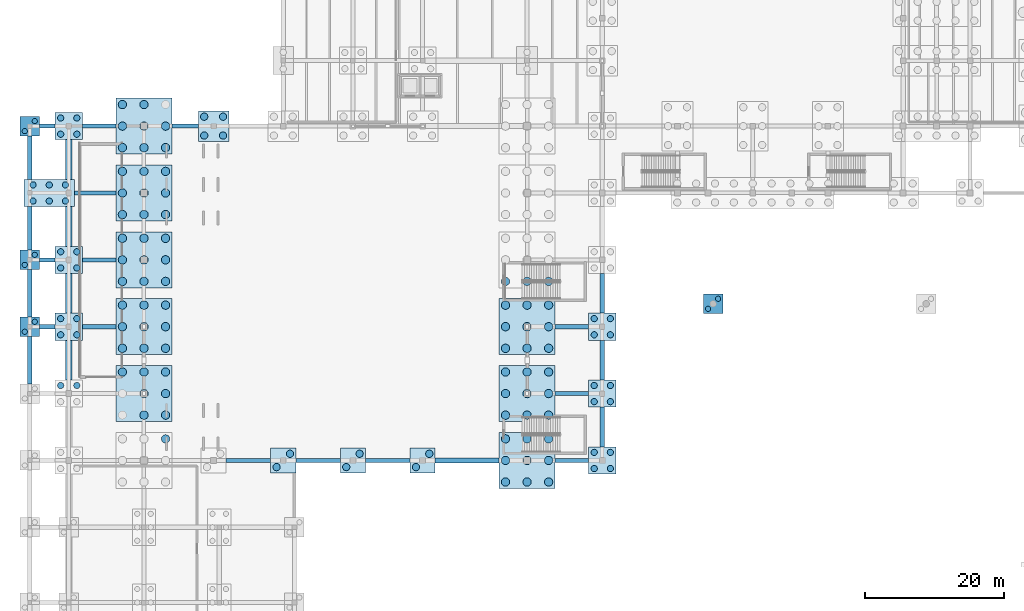
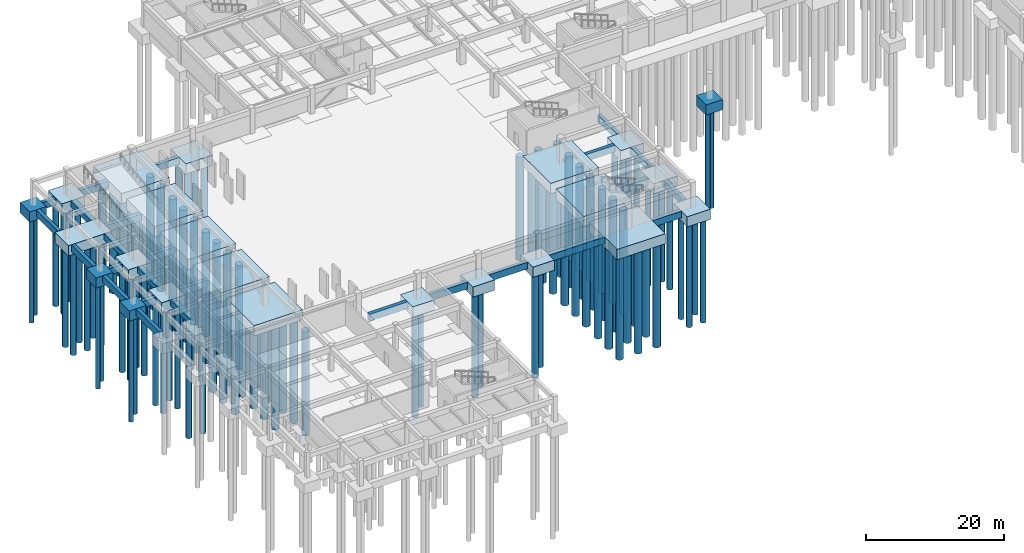
# One storey, part 2 of 33: 123 piles, 49 footings.
"""IFC4 building model written with IfcOpenShell, lengths in metres."""

from ifc_helpers import new_model, si_unit, direction, frame, origin, origin_2d, place, context, subcontext, project, spatial, rectangle, circle, extrude, material, material_profile, profile_set, type_object, element, save


model = new_model("IFC4")

# Units and contexts
model_context = context("Model", 3, precision=1e-05, world=origin(), true_north=direction((0.0, 1.0)))
body_context = subcontext(model_context, "Body", "Model", "MODEL_VIEW")
ifc_project = project(units=[si_unit("LENGTHUNIT", "METRE"), si_unit("AREAUNIT", "SQUARE_METRE"), si_unit("VOLUMEUNIT", "CUBIC_METRE"), si_unit("PLANEANGLEUNIT", "RADIAN"), si_unit("MASSUNIT", "GRAM", prefix="KILO")], contexts=[model_context])

# Site, building, storey
site_placement = place(None, origin())
site = spatial("IfcSite", under=ifc_project, at=site_placement, CompositionType="ELEMENT")
building_placement = place(site_placement, origin())
building = spatial("IfcBuilding", under=site, at=building_placement, Name="Veldera Park Congress Hotel", CompositionType="ELEMENT")
storey_placement = place(building_placement, frame((0.0, 0.0, -4.5)))
storey = spatial("IfcBuildingStorey", under=building, at=storey_placement, Name="B1", CompositionType="ELEMENT", Elevation=-4.5)

# Footings
ifc_material = material(Name="Concrete f'c 40 MPa (5,800 psi)", Category="concrete")
footing_type_1 = type_object("IfcFootingType", Name="FB-600X1200", PredefinedType="FOOTING_BEAM", material=ifc_material)
for number, where, z_axis, x_axis, name in (
    (1, (-52.39990234375, -21.0, -1.2001953125), (0.0, 0.0, 1.0), (1.0, 0.0, 0.0), "Foundation Tie Beam FB-600X1200 25"),
    (2, (-42.39990234375, -21.0, -1.2001953125), (0.0, 0.0, 1.0), (1.0, 0.0, 0.0), "Foundation Tie Beam FB-600X1200 26"),
    (3, (-32.39990234375, -21.0, -1.2001953125), (0.0, 0.0, 1.0), (1.0, 0.0, 0.0), "Foundation Tie Beam FB-600X1200 27"),
):
    element("IfcFooting", number, at=place(storey_placement, frame(where, z_axis=z_axis, x_axis=x_axis)), inside=storey, type_object=footing_type_1, Name=name, PredefinedType="FOOTING_BEAM", context=body_context, shape_type="SweptSolid", body=[
        extrude(rectangle(XDim=6.39990234375, YDim=0.60009765625, at=origin_2d()), origin(), (0.0, 0.0, 1.0), 1.199951171875),
    ])
for number, where, z_axis, x_axis, name in (
    (4, (-5.96240234375, -21.0, -1.2001953125), (0.0, 0.0, 1.0), (1.0, 0.0, 0.0), "Foundation Tie Beam FB-600X1200 29"),
    (5, (-5.96240234375, -11.39990234375, -1.2001953125), (0.0, 0.0, 1.0), (1.0, 0.0, 0.0), "Foundation Tie Beam FB-600X1200 32"),
):
    element("IfcFooting", number, at=place(storey_placement, frame(where, z_axis=z_axis, x_axis=x_axis)), inside=storey, type_object=footing_type_1, Name=name, PredefinedType="FOOTING_BEAM", context=body_context, shape_type="SweptSolid", body=[
        extrude(rectangle(XDim=4.824951171875, YDim=0.60009765625, at=origin_2d()), origin(), (0.0, 0.0, 1.0), 1.199951171875),
    ])
footing_1_placement = place(storey_placement, frame((-81.27490234375, -1.800048828125, -1.2001953125), z_axis=(0.0, 0.0, 1.0), x_axis=(1.0, 0.0, 0.0)))
element("IfcFooting", 6, at=footing_1_placement, inside=storey, type_object=footing_type_1, Name="Foundation Tie Beam FB-600X1200 33", PredefinedType="FOOTING_BEAM", context=body_context, shape_type="SweptSolid", body=[
    extrude(rectangle(XDim=2.25, YDim=0.60009765625, at=origin_2d()), origin(), (0.0, 0.0, 1.0), 1.199951171875),
])
for number, where, z_axis, x_axis, name in (
    (7, (-73.83740234375, -1.800048828125, -1.2001953125), (0.0, 0.0, 1.0), (1.0, 0.0, 0.0), "Foundation Tie Beam FB-600X1200 34"),
    (8, (-5.96240234375, -1.800048828125, -1.2001953125), (0.0, 0.0, 1.0), (1.0, 0.0, 0.0), "Foundation Tie Beam FB-600X1200 35"),
):
    element("IfcFooting", number, at=place(storey_placement, frame(where, z_axis=z_axis, x_axis=x_axis)), inside=storey, type_object=footing_type_1, Name=name, PredefinedType="FOOTING_BEAM", context=body_context, shape_type="SweptSolid", body=[
        extrude(rectangle(XDim=4.824951171875, YDim=0.60009765625, at=origin_2d()), origin(), (0.0, 0.0, 1.0), 1.199951171875),
    ])
footing_2_placement = place(storey_placement, frame((-81.27490234375, 7.800048828125, -1.2001953125), z_axis=(0.0, 0.0, 1.0), x_axis=(1.0, 0.0, 0.0)))
element("IfcFooting", 9, at=footing_2_placement, inside=storey, type_object=footing_type_1, Name="Foundation Tie Beam FB-600X1200 38", PredefinedType="FOOTING_BEAM", context=body_context, shape_type="SweptSolid", body=[
    extrude(rectangle(XDim=2.25, YDim=0.60009765625, at=origin_2d()), origin(), (0.0, 0.0, 1.0), 1.199951171875),
])
footing_3_placement = place(storey_placement, frame((-73.83740234375, 7.800048828125, -1.2001953125), z_axis=(0.0, 0.0, 1.0), x_axis=(1.0, 0.0, 0.0)))
element("IfcFooting", 10, at=footing_3_placement, inside=storey, type_object=footing_type_1, Name="Foundation Tie Beam FB-600X1200 39", PredefinedType="FOOTING_BEAM", context=body_context, shape_type="SweptSolid", body=[
    extrude(rectangle(XDim=4.824951171875, YDim=0.60009765625, at=origin_2d()), origin(), (0.0, 0.0, 1.0), 1.199951171875),
])
footing_4_placement = place(storey_placement, frame((-74.41259765625, 17.39990234375, -1.2001953125), z_axis=(0.0, 0.0, 1.0), x_axis=(1.0, 0.0, 0.0)))
element("IfcFooting", 11, at=footing_4_placement, inside=storey, type_object=footing_type_1, Name="Foundation Tie Beam FB-600X1200 43", PredefinedType="FOOTING_BEAM", context=body_context, shape_type="SweptSolid", body=[
    extrude(rectangle(XDim=5.97509765625, YDim=0.60009765625, at=origin_2d()), origin(), (0.0, 0.0, 1.0), 1.199951171875),
])
footing_5_placement = place(storey_placement, frame((-81.27490234375, 27.0, -1.2001953125), z_axis=(0.0, 0.0, 1.0), x_axis=(1.0, 0.0, 0.0)))
element("IfcFooting", 12, at=footing_5_placement, inside=storey, type_object=footing_type_1, Name="Foundation Tie Beam FB-600X1200 50", PredefinedType="FOOTING_BEAM", context=body_context, shape_type="SweptSolid", body=[
    extrude(rectangle(XDim=2.25, YDim=0.60009765625, at=origin_2d()), origin(), (0.0, 0.0, 1.0), 1.199951171875),
])
footing_6_placement = place(storey_placement, frame((-73.83740234375, 27.0, -1.2001953125), z_axis=(0.0, 0.0, 1.0), x_axis=(1.0, 0.0, 0.0)))
element("IfcFooting", 13, at=footing_6_placement, inside=storey, type_object=footing_type_1, Name="Foundation Tie Beam FB-600X1200 51", PredefinedType="FOOTING_BEAM", context=body_context, shape_type="SweptSolid", body=[
    extrude(rectangle(XDim=4.824951171875, YDim=0.60009765625, at=origin_2d()), origin(), (0.0, 0.0, 1.0), 1.199951171875),
])
footing_7_placement = place(storey_placement, frame((-61.487548828125, 27.0, -1.2001953125), z_axis=(0.0, 0.0, 1.0), x_axis=(1.0, 0.0, 0.0)))
element("IfcFooting", 14, at=footing_7_placement, inside=storey, type_object=footing_type_1, Name="Foundation Tie Beam FB-600X1200 52", PredefinedType="FOOTING_BEAM", context=body_context, shape_type="SweptSolid", body=[
    extrude(rectangle(XDim=3.77490234375, YDim=0.60009765625, at=origin_2d()), origin(), (0.0, 0.0, 1.0), 1.199951171875),
])
for number, where, z_axis, x_axis, name in (
    (15, (-83.800048828125, -6.60009765625, -1.2001953125), (0.0, 0.0, 1.0), (0.0, 1.0, 0.0), "Foundation Tie Beam FB-600X1200 94"),
    (16, (-83.800048828125, 3.0, -1.2001953125), (0.0, 0.0, 1.0), (0.0, 1.0, 0.0), "Foundation Tie Beam FB-600X1200 95"),
):
    element("IfcFooting", number, at=place(storey_placement, frame(where, z_axis=z_axis, x_axis=x_axis)), inside=storey, type_object=footing_type_1, Name=name, PredefinedType="FOOTING_BEAM", context=body_context, shape_type="SweptSolid", body=[
        extrude(rectangle(XDim=6.800048828125, YDim=0.60009765625, at=origin_2d()), origin(), (0.0, 0.0, 1.0), 1.199951171875),
    ])
for number, where, z_axis, x_axis, name in (
    (17, (-83.800048828125, 12.324951171875, -1.2001953125), (0.0, 0.0, 1.0), (0.0, 1.0, 0.0), "Foundation Tie Beam FB-600X1200 96"),
    (18, (-83.800048828125, 22.47509765625, -1.2001953125), (0.0, 0.0, 1.0), (0.0, 1.0, 0.0), "Foundation Tie Beam FB-600X1200 97"),
):
    element("IfcFooting", number, at=place(storey_placement, frame(where, z_axis=z_axis, x_axis=x_axis)), inside=storey, type_object=footing_type_1, Name=name, PredefinedType="FOOTING_BEAM", context=body_context, shape_type="SweptSolid", body=[
        extrude(rectangle(XDim=6.25, YDim=0.60009765625, at=origin_2d()), origin(), (0.0, 0.0, 1.0), 1.199951171875),
    ])
for number, where, z_axis, x_axis, name in (
    (19, (-1.60009765625, -16.199951171875, -1.2001953125), (0.0, 0.0, 1.0), (0.0, 1.0, 0.0), "Foundation Tie Beam FB-600X1200 120"),
    (20, (-1.60009765625, -6.60009765625, -1.2001953125), (0.0, 0.0, 1.0), (0.0, 1.0, 0.0), "Foundation Tie Beam FB-600X1200 121"),
    (21, (-1.60009765625, 3.0, -1.2001953125), (0.0, 0.0, 1.0), (0.0, 1.0, 0.0), "Foundation Tie Beam FB-600X1200 122"),
):
    element("IfcFooting", number, at=place(storey_placement, frame(where, z_axis=z_axis, x_axis=x_axis)), inside=storey, type_object=footing_type_1, Name=name, PredefinedType="FOOTING_BEAM", context=body_context, shape_type="SweptSolid", body=[
        extrude(rectangle(XDim=5.699951171875, YDim=0.60009765625, at=origin_2d()), origin(), (0.0, 0.0, 1.0), 1.199951171875),
    ])
footing_type_2 = type_object("IfcFootingType", Name="FB-750X1200", PredefinedType="FOOTING_BEAM", material=ifc_material)
footing_8_placement = place(storey_placement, frame((-21.012451171875, -21.0, -1.2001953125), z_axis=(0.0, 0.0, 1.0), x_axis=(1.0, 0.0, 0.0)))
element("IfcFooting", 22, at=footing_8_placement, inside=storey, type_object=footing_type_2, Name="Foundation Tie Beam FB-750X1200 28", PredefinedType="FOOTING_BEAM", context=body_context, shape_type="SweptSolid", body=[
    extrude(rectangle(XDim=9.175048828125, YDim=0.75, at=origin_2d()), origin(), (0.0, 0.0, 1.0), 1.199951171875),
])
footing_type_3 = type_object("IfcFootingType", Name="PC-280", PredefinedType="PILE_CAP", material=ifc_material)
for number, where, z_axis, x_axis, name in (
    (23, (-83.800048828125, -1.800048828125, -1.7998046875), (0.0, 0.0, 1.0), (1.0, 0.0, 0.0), "Pile Cap PC-280 at (-83.8, -1.8)"),
    (24, (-83.800048828125, 7.800048828125, -1.7998046875), (0.0, 0.0, 1.0), (1.0, 0.0, 0.0), "Pile Cap PC-280 at (-83.8, 7.8)"),
    (25, (-83.800048828125, 27.0, -1.7998046875), (0.0, 0.0, 1.0), (1.0, 0.0, 0.0), "Pile Cap PC-280 at (-83.8, 27.0)"),
    (26, (14.309814453125, 1.489990234375, -1.7998046875), (0.0, 0.0, 1.0), (1.0, 0.0, 0.0), "Bridge Pier Pile Cap 1"),
):
    element("IfcFooting", number, at=place(storey_placement, frame(where, z_axis=z_axis, x_axis=x_axis)), inside=storey, type_object=footing_type_3, Name=name, PredefinedType="PILE_CAP", context=body_context, shape_type="SweptSolid", body=[
        extrude(rectangle(XDim=2.800048828125, YDim=2.800048828125, at=origin_2d()), origin(), (0.0, 0.0, 1.0), 1.800048828125),
    ])
footing_type_4 = type_object("IfcFootingType", Name="PC-360", PredefinedType="PILE_CAP", material=ifc_material)
for number, where, z_axis, x_axis, name in (
    (27, (-47.39990234375, -21.0, -1.7998046875), (0.0, 0.0, 1.0), (1.0, 0.0, 0.0), "Pile Cap PC-360 at (-47.4, -21.0)"),
    (28, (-37.39990234375, -21.0, -1.7998046875), (0.0, 0.0, 1.0), (1.0, 0.0, 0.0), "Pile Cap PC-360 at (-37.4, -21.0)"),
    (29, (-27.39990234375, -21.0, -1.7998046875), (0.0, 0.0, 1.0), (1.0, 0.0, 0.0), "Pile Cap PC-360 at (-27.4, -21.0)"),
):
    element("IfcFooting", number, at=place(storey_placement, frame(where, z_axis=z_axis, x_axis=x_axis)), inside=storey, type_object=footing_type_4, Name=name, PredefinedType="PILE_CAP", context=body_context, shape_type="SweptSolid", body=[
        extrude(rectangle(XDim=3.60009765625, YDim=3.60009765625, at=origin_2d()), origin(), (0.0, 0.0, 1.0), 1.800048828125),
    ])
footing_type_5 = type_object("IfcFootingType", Name="PC-390", PredefinedType="PILE_CAP", material=ifc_material)
for number, where, z_axis, x_axis, name in (
    (30, (-78.199951171875, -1.800048828125, -1.7998046875), (0.0, 0.0, 1.0), (1.0, 0.0, 0.0), "Pile Cap PC-390 at (-78.2, -1.8)"),
    (31, (-78.199951171875, 7.800048828125, -1.7998046875), (0.0, 0.0, 1.0), (1.0, 0.0, 0.0), "Pile Cap PC-390 at (-78.2, 7.8)"),
    (32, (-78.199951171875, 27.0, -1.7998046875), (0.0, 0.0, 1.0), (1.0, 0.0, 0.0), "Pile Cap PC-390 at (-78.2, 27.0)"),
    (33, (-1.60009765625, -21.0, -1.7998046875), (0.0, 0.0, 1.0), (1.0, 0.0, 0.0), "Pile Cap PC-390 at (-1.6, -21.0)"),
    (34, (-1.60009765625, -11.39990234375, -1.7998046875), (0.0, 0.0, 1.0), (1.0, 0.0, 0.0), "Pile Cap PC-390 at (-1.6, -11.4)"),
    (35, (-1.60009765625, -1.800048828125, -1.7998046875), (0.0, 0.0, 1.0), (1.0, 0.0, 0.0), "Pile Cap PC-390 at (-1.6, -1.8)"),
):
    element("IfcFooting", number, at=place(storey_placement, frame(where, z_axis=z_axis, x_axis=x_axis)), inside=storey, type_object=footing_type_5, Name=name, PredefinedType="PILE_CAP", context=body_context, shape_type="SweptSolid", body=[
        extrude(rectangle(XDim=3.89990234375, YDim=3.89990234375, at=origin_2d()), origin(), (0.0, 0.0, 1.0), 1.800048828125),
    ])
footing_type_6 = type_object("IfcFootingType", Name="PC-440", PredefinedType="PILE_CAP", material=ifc_material)
footing_9_placement = place(storey_placement, frame((-57.39990234375, 27.0, -1.7998046875), z_axis=(0.0, 0.0, 1.0), x_axis=(1.0, 0.0, 0.0)))
element("IfcFooting", 36, at=footing_9_placement, inside=storey, type_object=footing_type_6, Name="Pile Cap PC-440 at (-57.4, 27.0)", PredefinedType="PILE_CAP", context=body_context, shape_type="SweptSolid", body=[
    extrude(rectangle(XDim=4.39990234375, YDim=4.39990234375, at=origin_2d()), origin(), (0.0, 0.0, 1.0), 1.800048828125),
])
footing_type_7 = type_object("IfcFootingType", Name="PC-720X390", PredefinedType="PILE_CAP", material=ifc_material)
footing_10_placement = place(storey_placement, frame((-81.0, 17.39990234375, -1.7998046875), z_axis=(0.0, 0.0, 1.0), x_axis=(1.0, 0.0, 0.0)))
element("IfcFooting", 37, at=footing_10_placement, inside=storey, type_object=footing_type_7, Name="Pile Cap PC-720X390 at (-81.0, 17.4)", PredefinedType="PILE_CAP", context=body_context, shape_type="SweptSolid", body=[
    extrude(rectangle(XDim=7.199951171875, YDim=3.89990234375, at=origin_2d()), origin(), (0.0, 0.0, 1.0), 1.800048828125),
])
footing_type_8 = type_object("IfcFootingType", Name="PC-805", PredefinedType="PILE_CAP", material=ifc_material)
for number, where, z_axis, x_axis, name in (
    (38, (-67.39990234375, -11.39990234375, -1.7998046875), (0.0, 0.0, 1.0), (1.0, 0.0, 0.0), "Pile Cap PC-805 at (-67.4, -11.4)"),
    (39, (-67.39990234375, -1.800048828125, -1.7998046875), (0.0, 0.0, 1.0), (1.0, 0.0, 0.0), "Pile Cap PC-805 at (-67.4, -1.8)"),
    (40, (-67.39990234375, 7.800048828125, -1.7998046875), (0.0, 0.0, 1.0), (1.0, 0.0, 0.0), "Pile Cap PC-805 at (-67.4, 7.8)"),
    (41, (-67.39990234375, 17.39990234375, -1.7998046875), (0.0, 0.0, 1.0), (1.0, 0.0, 0.0), "Pile Cap PC-805 at (-67.4, 17.4)"),
    (42, (-67.39990234375, 27.0, -1.7998046875), (0.0, 0.0, 1.0), (1.0, 0.0, 0.0), "Pile Cap PC-805 at (-67.4, 27.0)"),
    (43, (-12.39990234375, -21.0, -1.7998046875), (0.0, 0.0, 1.0), (1.0, 0.0, 0.0), "Pile Cap PC-805 at (-12.4, -21.0)"),
    (44, (-12.39990234375, -11.39990234375, -1.7998046875), (0.0, 0.0, 1.0), (1.0, 0.0, 0.0), "Pile Cap PC-805 at (-12.4, -11.4)"),
    (45, (-12.39990234375, -1.800048828125, -1.7998046875), (0.0, 0.0, 1.0), (1.0, 0.0, 0.0), "Pile Cap PC-805 at (-12.4, -1.8)"),
):
    element("IfcFooting", number, at=place(storey_placement, frame(where, z_axis=z_axis, x_axis=x_axis)), inside=storey, type_object=footing_type_8, Name=name, PredefinedType="PILE_CAP", context=body_context, shape_type="SweptSolid", body=[
        extrude(rectangle(XDim=8.050048828125, YDim=8.050048828125, at=origin_2d()), origin(), (0.0, 0.0, 1.0), 1.800048828125),
    ])

# Piles
ifc_material_profile_1 = material_profile(ifc_material, circle(Radius=0.52490234375, at=origin_2d()), Name="PILE D1050")
ifc_profile_set_1 = profile_set([ifc_material_profile_1], Name="Concrete f'c 40 MPa (5,800 psi)")
pile_type_1 = type_object("IfcPileType", Name="PIL-1050", PredefinedType="BORED", material=ifc_profile_set_1)
for number, where, z_axis, x_axis, name in (
    (46, (-58.75439453125, 25.6455078125, -1.64990234375), (0.0, 0.0, -1.0), (1.0, 0.0, 0.0), "Bored Pile PIL-1050 123"),
    (47, (-56.04541015625, 25.6455078125, -1.64990234375), (0.0, 0.0, -1.0), (1.0, 0.0, 0.0), "Bored Pile PIL-1050 124"),
    (48, (-58.75439453125, 28.3544921875, -1.64990234375), (0.0, 0.0, -1.0), (1.0, 0.0, 0.0), "Bored Pile PIL-1050 125"),
    (49, (-56.04541015625, 28.3544921875, -1.64990234375), (0.0, 0.0, -1.0), (1.0, 0.0, 0.0), "Bored Pile PIL-1050 126"),
    (50, (-48.360107421875, -21.9599609375, -1.64990234375), (0.0, 0.0, -1.0), (1.0, 0.0, 0.0), "Bored Pile PIL-1050 143"),
    (51, (-46.43994140625, -20.0400390625, -1.64990234375), (0.0, 0.0, -1.0), (1.0, 0.0, 0.0), "Bored Pile PIL-1050 144"),
    (52, (-38.360107421875, -21.9599609375, -1.64990234375), (0.0, 0.0, -1.0), (1.0, 0.0, 0.0), "Bored Pile PIL-1050 163"),
    (53, (-36.43994140625, -20.0400390625, -1.64990234375), (0.0, 0.0, -1.0), (1.0, 0.0, 0.0), "Bored Pile PIL-1050 164"),
    (54, (-28.360107421875, -21.9599609375, -1.64990234375), (0.0, 0.0, -1.0), (1.0, 0.0, 0.0), "Bored Pile PIL-1050 181"),
    (55, (-26.43994140625, -20.0400390625, -1.64990234375), (0.0, 0.0, -1.0), (1.0, 0.0, 0.0), "Bored Pile PIL-1050 182"),
):
    element("IfcPile", number, at=place(storey_placement, frame(where, z_axis=z_axis, x_axis=x_axis)), inside=storey, type_object=pile_type_1, Name=name, PredefinedType="BORED", context=body_context, shape_type="SweptSolid", body=[
        extrude(circle(Radius=0.52490234375, at=origin_2d()), origin(), (0.0, 0.0, 1.0), 18.35009765625),
    ])
ifc_material_profile_2 = material_profile(ifc_material, circle(Radius=0.60009765625, at=origin_2d()), Name="PILE D1200")
ifc_profile_set_2 = profile_set([ifc_material_profile_2], Name="Concrete f'c 40 MPa (5,800 psi)")
pile_type_2 = type_object("IfcPileType", Name="PIL-1200", PredefinedType="BORED", material=ifc_profile_set_2)
for number, where, z_axis, x_axis, name in (
    (56, (-64.303955078125, -17.904052734375, -1.64990234375), (0.0, 0.0, -1.0), (1.0, 0.0, 0.0), "Bored Pile PIL-1200 75"),
    (57, (-70.49609375, -8.303955078125, -1.64990234375), (0.0, 0.0, -1.0), (1.0, 0.0, 0.0), "Bored Pile PIL-1200 78"),
    (58, (-67.39990234375, -14.49609375, -1.64990234375), (0.0, 0.0, -1.0), (1.0, 0.0, 0.0), "Bored Pile PIL-1200 79"),
    (59, (-67.39990234375, -11.39990234375, -1.64990234375), (0.0, 0.0, -1.0), (1.0, 0.0, 0.0), "Bored Pile PIL-1200 80"),
    (60, (-67.39990234375, -8.303955078125, -1.64990234375), (0.0, 0.0, -1.0), (1.0, 0.0, 0.0), "Bored Pile PIL-1200 81"),
    (61, (-64.303955078125, -14.49609375, -1.64990234375), (0.0, 0.0, -1.0), (1.0, 0.0, 0.0), "Bored Pile PIL-1200 82"),
    (62, (-64.303955078125, -11.39990234375, -1.64990234375), (0.0, 0.0, -1.0), (1.0, 0.0, 0.0), "Bored Pile PIL-1200 83"),
    (63, (-64.303955078125, -8.303955078125, -1.64990234375), (0.0, 0.0, -1.0), (1.0, 0.0, 0.0), "Bored Pile PIL-1200 84"),
    (64, (-70.49609375, -4.89599609375, -1.64990234375), (0.0, 0.0, -1.0), (1.0, 0.0, 0.0), "Bored Pile PIL-1200 85"),
    (65, (-70.49609375, -1.800048828125, -1.64990234375), (0.0, 0.0, -1.0), (1.0, 0.0, 0.0), "Bored Pile PIL-1200 86"),
    (66, (-70.49609375, 1.2958984375, -1.64990234375), (0.0, 0.0, -1.0), (1.0, 0.0, 0.0), "Bored Pile PIL-1200 87"),
    (67, (-67.39990234375, -4.89599609375, -1.64990234375), (0.0, 0.0, -1.0), (1.0, 0.0, 0.0), "Bored Pile PIL-1200 88"),
    (68, (-67.39990234375, -1.800048828125, -1.64990234375), (0.0, 0.0, -1.0), (1.0, 0.0, 0.0), "Bored Pile PIL-1200 89"),
    (69, (-67.39990234375, 1.2958984375, -1.64990234375), (0.0, 0.0, -1.0), (1.0, 0.0, 0.0), "Bored Pile PIL-1200 90"),
    (70, (-64.303955078125, -4.89599609375, -1.64990234375), (0.0, 0.0, -1.0), (1.0, 0.0, 0.0), "Bored Pile PIL-1200 91"),
    (71, (-64.303955078125, -1.800048828125, -1.64990234375), (0.0, 0.0, -1.0), (1.0, 0.0, 0.0), "Bored Pile PIL-1200 92"),
    (72, (-64.303955078125, 1.2958984375, -1.64990234375), (0.0, 0.0, -1.0), (1.0, 0.0, 0.0), "Bored Pile PIL-1200 93"),
    (73, (-70.49609375, 4.7041015625, -1.64990234375), (0.0, 0.0, -1.0), (1.0, 0.0, 0.0), "Bored Pile PIL-1200 94"),
    (74, (-70.49609375, 7.800048828125, -1.64990234375), (0.0, 0.0, -1.0), (1.0, 0.0, 0.0), "Bored Pile PIL-1200 95"),
    (75, (-70.49609375, 10.89599609375, -1.64990234375), (0.0, 0.0, -1.0), (1.0, 0.0, 0.0), "Bored Pile PIL-1200 96"),
    (76, (-67.39990234375, 4.7041015625, -1.64990234375), (0.0, 0.0, -1.0), (1.0, 0.0, 0.0), "Bored Pile PIL-1200 97"),
    (77, (-67.39990234375, 7.800048828125, -1.64990234375), (0.0, 0.0, -1.0), (1.0, 0.0, 0.0), "Bored Pile PIL-1200 98"),
    (78, (-67.39990234375, 10.89599609375, -1.64990234375), (0.0, 0.0, -1.0), (1.0, 0.0, 0.0), "Bored Pile PIL-1200 99"),
    (79, (-64.303955078125, 4.7041015625, -1.64990234375), (0.0, 0.0, -1.0), (1.0, 0.0, 0.0), "Bored Pile PIL-1200 100"),
    (80, (-64.303955078125, 7.800048828125, -1.64990234375), (0.0, 0.0, -1.0), (1.0, 0.0, 0.0), "Bored Pile PIL-1200 101"),
    (81, (-64.303955078125, 10.89599609375, -1.64990234375), (0.0, 0.0, -1.0), (1.0, 0.0, 0.0), "Bored Pile PIL-1200 102"),
    (82, (-70.49609375, 14.303955078125, -1.64990234375), (0.0, 0.0, -1.0), (1.0, 0.0, 0.0), "Bored Pile PIL-1200 103"),
    (83, (-70.49609375, 17.39990234375, -1.64990234375), (0.0, 0.0, -1.0), (1.0, 0.0, 0.0), "Bored Pile PIL-1200 104"),
    (84, (-70.49609375, 20.49609375, -1.64990234375), (0.0, 0.0, -1.0), (1.0, 0.0, 0.0), "Bored Pile PIL-1200 105"),
    (85, (-67.39990234375, 14.303955078125, -1.64990234375), (0.0, 0.0, -1.0), (1.0, 0.0, 0.0), "Bored Pile PIL-1200 106"),
    (86, (-67.39990234375, 17.39990234375, -1.64990234375), (0.0, 0.0, -1.0), (1.0, 0.0, 0.0), "Bored Pile PIL-1200 107"),
    (87, (-67.39990234375, 20.49609375, -1.64990234375), (0.0, 0.0, -1.0), (1.0, 0.0, 0.0), "Bored Pile PIL-1200 108"),
    (88, (-64.303955078125, 14.303955078125, -1.64990234375), (0.0, 0.0, -1.0), (1.0, 0.0, 0.0), "Bored Pile PIL-1200 109"),
    (89, (-64.303955078125, 17.39990234375, -1.64990234375), (0.0, 0.0, -1.0), (1.0, 0.0, 0.0), "Bored Pile PIL-1200 110"),
    (90, (-64.303955078125, 20.49609375, -1.64990234375), (0.0, 0.0, -1.0), (1.0, 0.0, 0.0), "Bored Pile PIL-1200 111"),
    (91, (-70.49609375, 23.904052734375, -1.64990234375), (0.0, 0.0, -1.0), (1.0, 0.0, 0.0), "Bored Pile PIL-1200 112"),
    (92, (-70.49609375, 27.0, -1.64990234375), (0.0, 0.0, -1.0), (1.0, 0.0, 0.0), "Bored Pile PIL-1200 113"),
    (93, (-70.49609375, 30.095947265625, -1.64990234375), (0.0, 0.0, -1.0), (1.0, 0.0, 0.0), "Bored Pile PIL-1200 114"),
    (94, (-67.39990234375, 23.904052734375, -1.64990234375), (0.0, 0.0, -1.0), (1.0, 0.0, 0.0), "Bored Pile PIL-1200 115"),
    (95, (-67.39990234375, 27.0, -1.64990234375), (0.0, 0.0, -1.0), (1.0, 0.0, 0.0), "Bored Pile PIL-1200 116"),
    (96, (-67.39990234375, 30.095947265625, -1.64990234375), (0.0, 0.0, -1.0), (1.0, 0.0, 0.0), "Bored Pile PIL-1200 117"),
    (97, (-64.303955078125, 23.904052734375, -1.64990234375), (0.0, 0.0, -1.0), (1.0, 0.0, 0.0), "Bored Pile PIL-1200 118"),
    (98, (-64.303955078125, 27.0, -1.64990234375), (0.0, 0.0, -1.0), (1.0, 0.0, 0.0), "Bored Pile PIL-1200 119"),
    (99, (-15.49609375, -24.095947265625, -1.64990234375), (0.0, 0.0, -1.0), (1.0, 0.0, 0.0), "Bored Pile PIL-1200 199"),
    (100, (-15.49609375, -21.0, -1.64990234375), (0.0, 0.0, -1.0), (1.0, 0.0, 0.0), "Bored Pile PIL-1200 200"),
    (101, (-15.49609375, -17.904052734375, -1.64990234375), (0.0, 0.0, -1.0), (1.0, 0.0, 0.0), "Bored Pile PIL-1200 201"),
    (102, (-12.39990234375, -24.095947265625, -1.64990234375), (0.0, 0.0, -1.0), (1.0, 0.0, 0.0), "Bored Pile PIL-1200 202"),
    (103, (-12.39990234375, -21.0, -1.64990234375), (0.0, 0.0, -1.0), (1.0, 0.0, 0.0), "Bored Pile PIL-1200 203"),
    (104, (-12.39990234375, -17.904052734375, -1.64990234375), (0.0, 0.0, -1.0), (1.0, 0.0, 0.0), "Bored Pile PIL-1200 204"),
    (105, (-9.303955078125, -24.095947265625, -1.64990234375), (0.0, 0.0, -1.0), (1.0, 0.0, 0.0), "Bored Pile PIL-1200 205"),
    (106, (-9.303955078125, -21.0, -1.64990234375), (0.0, 0.0, -1.0), (1.0, 0.0, 0.0), "Bored Pile PIL-1200 206"),
    (107, (-9.303955078125, -17.904052734375, -1.64990234375), (0.0, 0.0, -1.0), (1.0, 0.0, 0.0), "Bored Pile PIL-1200 207"),
    (108, (-15.49609375, -14.49609375, -1.64990234375), (0.0, 0.0, -1.0), (1.0, 0.0, 0.0), "Bored Pile PIL-1200 208"),
    (109, (-15.49609375, -11.39990234375, -1.64990234375), (0.0, 0.0, -1.0), (1.0, 0.0, 0.0), "Bored Pile PIL-1200 209"),
    (110, (-15.49609375, -8.303955078125, -1.64990234375), (0.0, 0.0, -1.0), (1.0, 0.0, 0.0), "Bored Pile PIL-1200 210"),
    (111, (-12.39990234375, -14.49609375, -1.64990234375), (0.0, 0.0, -1.0), (1.0, 0.0, 0.0), "Bored Pile PIL-1200 211"),
    (112, (-12.39990234375, -11.39990234375, -1.64990234375), (0.0, 0.0, -1.0), (1.0, 0.0, 0.0), "Bored Pile PIL-1200 212"),
    (113, (-12.39990234375, -8.303955078125, -1.64990234375), (0.0, 0.0, -1.0), (1.0, 0.0, 0.0), "Bored Pile PIL-1200 213"),
    (114, (-9.303955078125, -14.49609375, -1.64990234375), (0.0, 0.0, -1.0), (1.0, 0.0, 0.0), "Bored Pile PIL-1200 214"),
    (115, (-9.303955078125, -11.39990234375, -1.64990234375), (0.0, 0.0, -1.0), (1.0, 0.0, 0.0), "Bored Pile PIL-1200 215"),
    (116, (-9.303955078125, -8.303955078125, -1.64990234375), (0.0, 0.0, -1.0), (1.0, 0.0, 0.0), "Bored Pile PIL-1200 216"),
    (117, (-15.49609375, -4.89599609375, -1.64990234375), (0.0, 0.0, -1.0), (1.0, 0.0, 0.0), "Bored Pile PIL-1200 217"),
    (118, (-15.49609375, -1.800048828125, -1.64990234375), (0.0, 0.0, -1.0), (1.0, 0.0, 0.0), "Bored Pile PIL-1200 218"),
    (119, (-15.49609375, 1.2958984375, -1.64990234375), (0.0, 0.0, -1.0), (1.0, 0.0, 0.0), "Bored Pile PIL-1200 219"),
    (120, (-12.39990234375, -4.89599609375, -1.64990234375), (0.0, 0.0, -1.0), (1.0, 0.0, 0.0), "Bored Pile PIL-1200 220"),
    (121, (-12.39990234375, -1.800048828125, -1.64990234375), (0.0, 0.0, -1.0), (1.0, 0.0, 0.0), "Bored Pile PIL-1200 221"),
    (122, (-12.39990234375, 1.2958984375, -1.64990234375), (0.0, 0.0, -1.0), (1.0, 0.0, 0.0), "Bored Pile PIL-1200 222"),
    (123, (-9.303955078125, -4.89599609375, -1.64990234375), (0.0, 0.0, -1.0), (1.0, 0.0, 0.0), "Bored Pile PIL-1200 223"),
    (124, (-9.303955078125, -1.800048828125, -1.64990234375), (0.0, 0.0, -1.0), (1.0, 0.0, 0.0), "Bored Pile PIL-1200 224"),
    (125, (-9.303955078125, 1.2958984375, -1.64990234375), (0.0, 0.0, -1.0), (1.0, 0.0, 0.0), "Bored Pile PIL-1200 225"),
    (126, (-15.49609375, 4.7041015625, -1.64990234375), (0.0, 0.0, -1.0), (1.0, 0.0, 0.0), "Bored Pile PIL-1200 226"),
    (127, (-12.39990234375, 4.7041015625, -1.64990234375), (0.0, 0.0, -1.0), (1.0, 0.0, 0.0), "Bored Pile PIL-1200 229"),
    (128, (-9.303955078125, 4.7041015625, -1.64990234375), (0.0, 0.0, -1.0), (1.0, 0.0, 0.0), "Bored Pile PIL-1200 232"),
):
    element("IfcPile", number, at=place(storey_placement, frame(where, z_axis=z_axis, x_axis=x_axis)), inside=storey, type_object=pile_type_2, Name=name, PredefinedType="BORED", context=body_context, shape_type="SweptSolid", body=[
        extrude(circle(Radius=0.60009765625, at=origin_2d()), origin(), (0.0, 0.0, 1.0), 18.35009765625),
    ])
ifc_material_profile_3 = material_profile(ifc_material, circle(Radius=0.375, at=origin_2d()), Name="PILE D750")
ifc_profile_set_3 = profile_set([ifc_material_profile_3], Name="Concrete f'c 40 MPa (5,800 psi)")
pile_type_3 = type_object("IfcPileType", Name="PIL-750", PredefinedType="BORED", material=ifc_profile_set_3)
for number, where, z_axis, x_axis, name in (
    (129, (-84.52001953125, -2.52001953125, -1.64990234375), (0.0, 0.0, -1.0), (1.0, 0.0, 0.0), "Bored Pile PIL-750 11"),
    (130, (-83.080078125, -1.080078125, -1.64990234375), (0.0, 0.0, -1.0), (1.0, 0.0, 0.0), "Bored Pile PIL-750 12"),
    (131, (-84.52001953125, 7.080078125, -1.64990234375), (0.0, 0.0, -1.0), (1.0, 0.0, 0.0), "Bored Pile PIL-750 13"),
    (132, (-83.080078125, 8.52001953125, -1.64990234375), (0.0, 0.0, -1.0), (1.0, 0.0, 0.0), "Bored Pile PIL-750 14"),
    (133, (-84.52001953125, 26.280029296875, -1.64990234375), (0.0, 0.0, -1.0), (1.0, 0.0, 0.0), "Bored Pile PIL-750 21"),
    (134, (-83.080078125, 27.719970703125, -1.64990234375), (0.0, 0.0, -1.0), (1.0, 0.0, 0.0), "Bored Pile PIL-750 22"),
    (135, (13.58984375, 0.77001953125, -1.64990234375), (0.0, 0.0, -1.0), (1.0, 0.0, 0.0), "Bridge Pier Pile 1-1"),
    (136, (15.02978515625, 2.210205078125, -1.64990234375), (0.0, 0.0, -1.0), (1.0, 0.0, 0.0), "Bridge Pier Pile 1-2"),
):
    element("IfcPile", number, at=place(storey_placement, frame(where, z_axis=z_axis, x_axis=x_axis)), inside=storey, type_object=pile_type_3, Name=name, PredefinedType="BORED", context=body_context, shape_type="SweptSolid", body=[
        extrude(circle(Radius=0.375, at=origin_2d()), origin(), (0.0, 0.0, 1.0), 18.35009765625),
    ])
ifc_material_profile_4 = material_profile(ifc_material, circle(Radius=0.449951171875, at=origin_2d()), Name="PILE D900")
ifc_profile_set_4 = profile_set([ifc_material_profile_4], Name="Concrete f'c 40 MPa (5,800 psi)")
pile_type_4 = type_object("IfcPileType", Name="PIL-900", PredefinedType="BORED", material=ifc_profile_set_4)
for number, where, z_axis, x_axis, name in (
    (137, (-83.322021484375, 16.239013671875, -1.64990234375), (0.0, 0.0, -1.0), (1.0, 0.0, 0.0), "Bored Pile PIL-900 15"),
    (138, (-83.322021484375, 18.56103515625, -1.64990234375), (0.0, 0.0, -1.0), (1.0, 0.0, 0.0), "Bored Pile PIL-900 16"),
    (139, (-81.0, 16.239013671875, -1.64990234375), (0.0, 0.0, -1.0), (1.0, 0.0, 0.0), "Bored Pile PIL-900 17"),
    (140, (-81.0, 18.56103515625, -1.64990234375), (0.0, 0.0, -1.0), (1.0, 0.0, 0.0), "Bored Pile PIL-900 18"),
    (141, (-78.677978515625, 16.239013671875, -1.64990234375), (0.0, 0.0, -1.0), (1.0, 0.0, 0.0), "Bored Pile PIL-900 19"),
    (142, (-78.677978515625, 18.56103515625, -1.64990234375), (0.0, 0.0, -1.0), (1.0, 0.0, 0.0), "Bored Pile PIL-900 20"),
    (143, (-79.361083984375, -10.239013671875, -1.64990234375), (0.0, 0.0, -1.0), (1.0, 0.0, 0.0), "Bored Pile PIL-900 37"),
    (144, (-77.0390625, -10.239013671875, -1.64990234375), (0.0, 0.0, -1.0), (1.0, 0.0, 0.0), "Bored Pile PIL-900 38"),
    (145, (-79.361083984375, -2.9609375, -1.64990234375), (0.0, 0.0, -1.0), (1.0, 0.0, 0.0), "Bored Pile PIL-900 39"),
    (146, (-77.0390625, -2.9609375, -1.64990234375), (0.0, 0.0, -1.0), (1.0, 0.0, 0.0), "Bored Pile PIL-900 40"),
    (147, (-79.361083984375, -0.638916015625, -1.64990234375), (0.0, 0.0, -1.0), (1.0, 0.0, 0.0), "Bored Pile PIL-900 41"),
    (148, (-77.0390625, -0.638916015625, -1.64990234375), (0.0, 0.0, -1.0), (1.0, 0.0, 0.0), "Bored Pile PIL-900 42"),
    (149, (-79.361083984375, 6.638916015625, -1.64990234375), (0.0, 0.0, -1.0), (1.0, 0.0, 0.0), "Bored Pile PIL-900 43"),
    (150, (-77.0390625, 6.638916015625, -1.64990234375), (0.0, 0.0, -1.0), (1.0, 0.0, 0.0), "Bored Pile PIL-900 44"),
    (151, (-79.361083984375, 8.9609375, -1.64990234375), (0.0, 0.0, -1.0), (1.0, 0.0, 0.0), "Bored Pile PIL-900 45"),
    (152, (-77.0390625, 8.9609375, -1.64990234375), (0.0, 0.0, -1.0), (1.0, 0.0, 0.0), "Bored Pile PIL-900 46"),
    (153, (-79.361083984375, 25.839111328125, -1.64990234375), (0.0, 0.0, -1.0), (1.0, 0.0, 0.0), "Bored Pile PIL-900 47"),
    (154, (-77.0390625, 25.839111328125, -1.64990234375), (0.0, 0.0, -1.0), (1.0, 0.0, 0.0), "Bored Pile PIL-900 48"),
    (155, (-79.361083984375, 28.160888671875, -1.64990234375), (0.0, 0.0, -1.0), (1.0, 0.0, 0.0), "Bored Pile PIL-900 49"),
    (156, (-77.0390625, 28.160888671875, -1.64990234375), (0.0, 0.0, -1.0), (1.0, 0.0, 0.0), "Bored Pile PIL-900 50"),
    (157, (-2.760986328125, -22.160888671875, -1.64990234375), (0.0, 0.0, -1.0), (1.0, 0.0, 0.0), "Bored Pile PIL-900 259"),
    (158, (-0.43896484375, -22.160888671875, -1.64990234375), (0.0, 0.0, -1.0), (1.0, 0.0, 0.0), "Bored Pile PIL-900 260"),
    (159, (-2.760986328125, -19.839111328125, -1.64990234375), (0.0, 0.0, -1.0), (1.0, 0.0, 0.0), "Bored Pile PIL-900 261"),
    (160, (-0.43896484375, -19.839111328125, -1.64990234375), (0.0, 0.0, -1.0), (1.0, 0.0, 0.0), "Bored Pile PIL-900 262"),
    (161, (-2.760986328125, -12.56103515625, -1.64990234375), (0.0, 0.0, -1.0), (1.0, 0.0, 0.0), "Bored Pile PIL-900 263"),
    (162, (-0.43896484375, -12.56103515625, -1.64990234375), (0.0, 0.0, -1.0), (1.0, 0.0, 0.0), "Bored Pile PIL-900 264"),
    (163, (-2.760986328125, -10.239013671875, -1.64990234375), (0.0, 0.0, -1.0), (1.0, 0.0, 0.0), "Bored Pile PIL-900 265"),
    (164, (-0.43896484375, -10.239013671875, -1.64990234375), (0.0, 0.0, -1.0), (1.0, 0.0, 0.0), "Bored Pile PIL-900 266"),
    (165, (-2.760986328125, -2.9609375, -1.64990234375), (0.0, 0.0, -1.0), (1.0, 0.0, 0.0), "Bored Pile PIL-900 267"),
    (166, (-0.43896484375, -2.9609375, -1.64990234375), (0.0, 0.0, -1.0), (1.0, 0.0, 0.0), "Bored Pile PIL-900 268"),
    (167, (-2.760986328125, -0.638916015625, -1.64990234375), (0.0, 0.0, -1.0), (1.0, 0.0, 0.0), "Bored Pile PIL-900 269"),
    (168, (-0.43896484375, -0.638916015625, -1.64990234375), (0.0, 0.0, -1.0), (1.0, 0.0, 0.0), "Bored Pile PIL-900 270"),
):
    element("IfcPile", number, at=place(storey_placement, frame(where, z_axis=z_axis, x_axis=x_axis)), inside=storey, type_object=pile_type_4, Name=name, PredefinedType="BORED", context=body_context, shape_type="SweptSolid", body=[
        extrude(circle(Radius=0.449951171875, at=origin_2d()), origin(), (0.0, 0.0, 1.0), 18.35009765625),
    ])

# Footings
footing_type_9 = type_object("IfcFootingType", Name="SF-900X1000", PredefinedType="STRIP_FOOTING", material=ifc_material)
for number, where, z_axis, x_axis, name in (
    (169, (-78.199951171875, -6.60009765625, -1.0), (0.0, 0.0, 1.0), (0.0, 1.0, 0.0), "Perimeter Strip Footing 6"),
    (170, (-78.199951171875, 3.0, -1.0), (0.0, 0.0, 1.0), (0.0, 1.0, 0.0), "Perimeter Strip Footing 7"),
    (171, (-78.199951171875, 12.60009765625, -1.0), (0.0, 0.0, 1.0), (0.0, 1.0, 0.0), "Perimeter Strip Footing 8"),
    (172, (-78.199951171875, 22.199951171875, -1.0), (0.0, 0.0, 1.0), (0.0, 1.0, 0.0), "Perimeter Strip Footing 9"),
):
    element("IfcFooting", number, at=place(storey_placement, frame(where, z_axis=z_axis, x_axis=x_axis)), inside=storey, type_object=footing_type_9, Name=name, PredefinedType="STRIP_FOOTING", context=body_context, shape_type="SweptSolid", body=[
        extrude(rectangle(XDim=5.699951171875, YDim=0.89990234375, at=origin_2d()), origin(), (0.0, 0.0, 1.0), 1.0),
    ])

save(model, "model.ifc")
